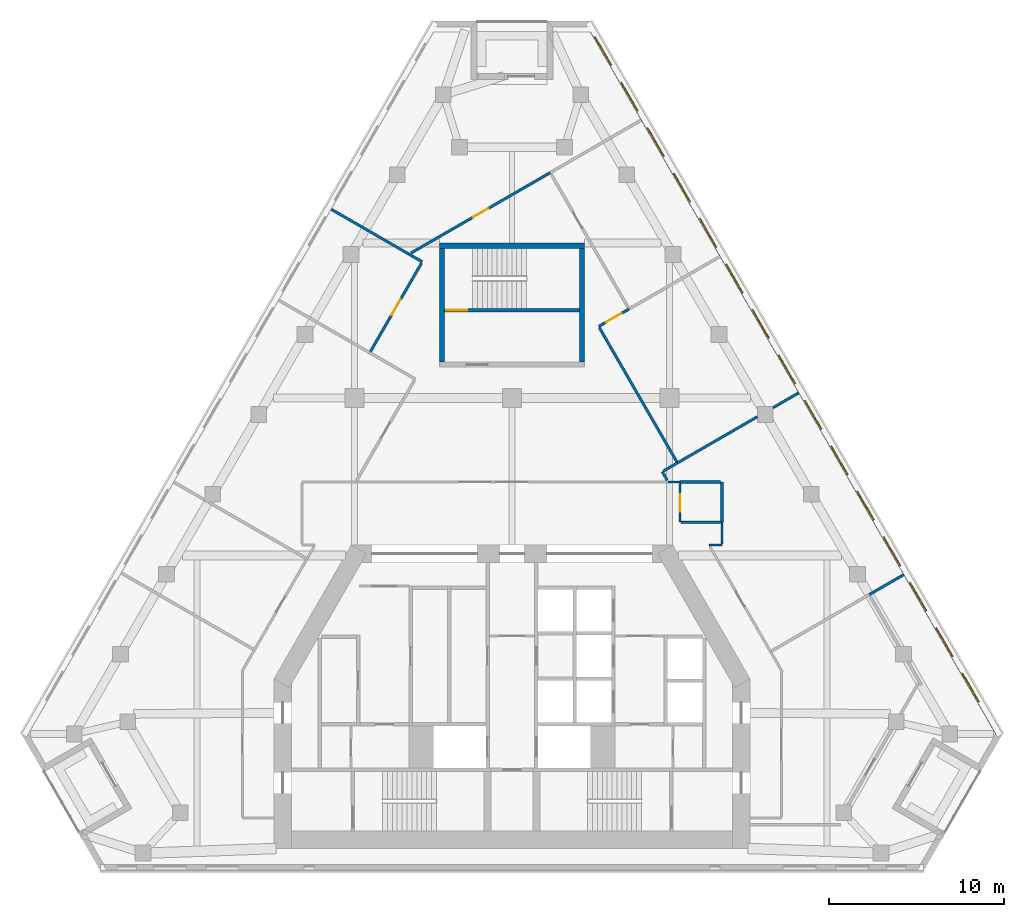
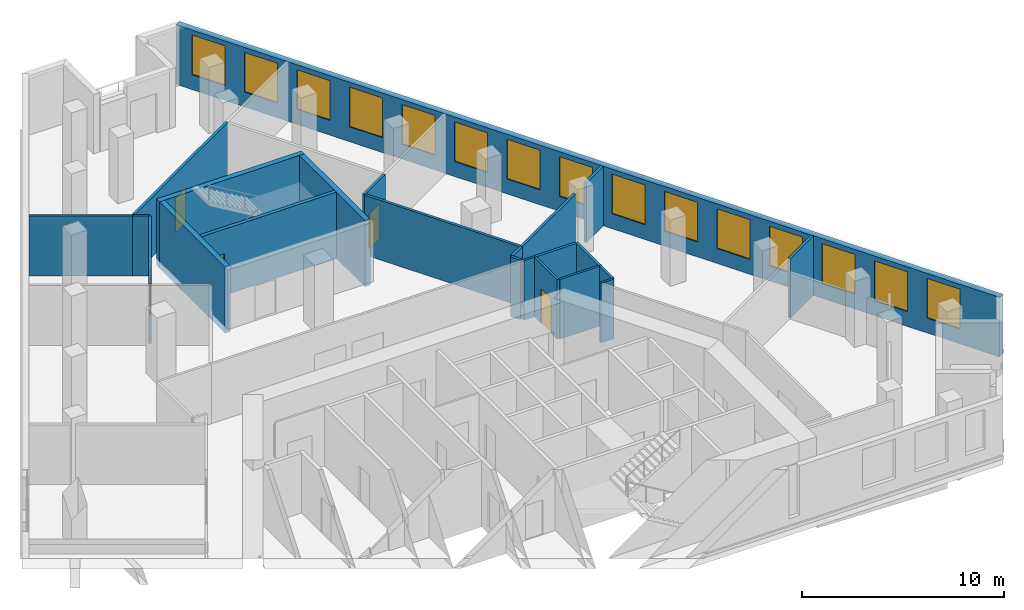
# One storey, part 7 of 9: 23 walls, 15 windows, 5 doors, 20 openings.
"""IFC4 building model written with IfcOpenShell, lengths in metres."""

from ifc_helpers import new_model, si_unit, direction, frame, frame_2d, origin, place, context, subcontext, project, spatial, rectangle, extrude, material, layer, layer_set, type_object, element, fill, save


model = new_model("IFC4")

# Units and contexts
model_context = context("Model", 3, precision=1e-05, world=origin(), true_north=direction((0.0, 1.0)))
body_context = subcontext(model_context, "Body", "Model", "MODEL_VIEW")
ifc_project = project(units=[si_unit("LENGTHUNIT", "METRE"), si_unit("AREAUNIT", "SQUARE_METRE"), si_unit("VOLUMEUNIT", "CUBIC_METRE"), si_unit("PLANEANGLEUNIT", "RADIAN"), si_unit("MASSUNIT", "GRAM", prefix="KILO")], contexts=[model_context])

# Site, building, storey
site_placement = place(None, origin())
site = spatial("IfcSite", under=ifc_project, at=site_placement, CompositionType="ELEMENT")
building_placement = place(site_placement, origin())
building = spatial("IfcBuilding", under=site, at=building_placement, Name="Fogline Exchange Tower", CompositionType="ELEMENT")
storey_placement = place(building_placement, frame((0.0, 0.0, 190.10009765625)))
storey = spatial("IfcBuildingStorey", under=building, at=storey_placement, Name="L42", CompositionType="ELEMENT", Elevation=190.10009765625)

# Wall, opening, door
ifc_material_1 = material(Name="Concrete C40", Category="concrete")
ifc_layer_1 = layer(ifc_material_1, 0.199951171875)
ifc_layer_set_1 = layer_set([ifc_layer_1], Name="CW20R")
wall_type_1 = type_object("IfcWallType", Name="CW20R", PredefinedType="SOLIDWALL", material=ifc_layer_set_1)
wall_1_placement = place(storey_placement, frame((-3.85009765625, 32.007080078125, -0.400146484375), z_axis=(0.0, 0.0, 1.0), x_axis=(1.0, 0.0, 0.0)))
wall_1 = element("IfcWall", 1, at=wall_1_placement, inside=storey, type_object=wall_type_1, Name="Stair enclosure wall ST3", PredefinedType="SOLIDWALL", context=body_context, shape_type="SweptSolid", body=[
    extrude(rectangle(XDim=7.7001953125, YDim=0.199951171875, at=frame_2d((3.85009765625, 0.0))), origin(), (0.0, 0.0, 1.0), 4.0),
])
opening_1_placement = place(wall_1_placement, frame((0.10009765625, 0.0, 0.39990234375)))
opening_1 = element("IfcOpeningElement", 2, at=opening_1_placement, cuts=wall_1, Name="Opening T13-C023", PredefinedType="OPENING", context=body_context, shape_type="SweptSolid", body=[
    extrude(rectangle(XDim=1.199951171875, YDim=2.10009765625, at=frame_2d((0.60009765625, 1.050048828125))), frame((0.0, 0.10986328125, 0.0), z_axis=(0.0, -1.0, 0.0), x_axis=(1.0, 0.0, 0.0)), (0.0, 0.0, 1.0), 0.219970703125),
])
ifc_material_2 = material(Name="Steel and timber fire door", Category="steel")
door_type_1 = type_object("IfcDoorType", Name="D-ST1", OperationType="SINGLE_SWING_LEFT", PredefinedType="DOOR", material=ifc_material_2)
door_1_placement = place(opening_1_placement, origin())
door_1 = element("IfcDoor", 3, at=door_1_placement, inside=storey, type_object=door_type_1, Name="Stair door ST3", OperationType="SINGLE_SWING_LEFT", OverallHeight=2.10009765625, OverallWidth=1.199951171875, PredefinedType="DOOR", context=body_context, shape_type="SweptSolid", body=[
    extrude(rectangle(XDim=1.199951171875, YDim=2.10009765625, at=frame_2d((0.60009765625, 1.050048828125))), frame((0.0, 0.02490234375, 0.0), z_axis=(0.0, -1.0, 0.0), x_axis=(1.0, 0.0, 0.0)), (0.0, 0.0, 1.0), 0.050048828125),
])
fill(opening_1, door_1)

# Walls
ifc_layer_2 = layer(ifc_material_1, 0.300048828125)
ifc_layer_set_2 = layer_set([ifc_layer_2], Name="CW30")
wall_type_2 = type_object("IfcWallType", Name="CW30", PredefinedType="SOLIDWALL", material=ifc_layer_set_2)
wall_2_placement = place(storey_placement, frame((-4.14990234375, 35.70703125, -0.400146484375), z_axis=(0.0, 0.0, 1.0), x_axis=(1.0, 0.0, 0.0)))
element("IfcWall", 4, at=wall_2_placement, inside=storey, type_object=wall_type_2, Name="Stair enclosure wall ST3", PredefinedType="SOLIDWALL", context=body_context, shape_type="SweptSolid", body=[
    extrude(rectangle(XDim=8.2998046875, YDim=0.300048828125, at=frame_2d((4.14990234375, 0.0))), origin(), (0.0, 0.0, 1.0), 4.0),
])
for number, where, z_axis, x_axis, name in (
    (5, (-4.0, 29.056884765625, -0.400146484375), (0.0, 0.0, 1.0), (0.0, 1.0, 0.0), "Stair enclosure wall ST3"),
    (6, (4.0, 29.056884765625, -0.400146484375), (0.0, 0.0, 1.0), (0.0, 1.0, 0.0), "Stair enclosure wall ST3"),
):
    element("IfcWall", number, at=place(storey_placement, frame(where, z_axis=z_axis, x_axis=x_axis)), inside=storey, type_object=wall_type_2, Name=name, PredefinedType="SOLIDWALL", context=body_context, shape_type="SweptSolid", body=[
        extrude(rectangle(XDim=6.5, YDim=0.300048828125, at=frame_2d((3.25, 0.0))), origin(), (0.0, 0.0, 1.0), 4.0),
    ])

# Wall, openings, windows
ifc_material_3 = material(Name="Brick masonry", Category="masonry")
ifc_layer_3 = layer(ifc_material_3, 0.340087890625)
ifc_layer_set_3 = layer_set([ifc_layer_3], Name="FW1")
wall_type_3 = type_object("IfcWallType", Name="FW1", PredefinedType="SOLIDWALL", material=ifc_layer_set_3)
wall_3_placement = place(storey_placement, frame((27.884033203125, 7.709228515625, 0.0), z_axis=(0.0, 0.0, 1.0), x_axis=(-0.499999966388, 0.86602542319, 0.0)))
wall_3 = element("IfcWall", 7, at=wall_3_placement, inside=storey, type_object=wall_type_3, Name="Brick wall L42 E", PredefinedType="SOLIDWALL", context=body_context, shape_type="SweptSolid", body=[
    extrude(rectangle(XDim=47.0625, YDim=0.340087890625, at=frame_2d((23.53125, 0.0))), origin(), (0.0, 0.0, 1.0), 3.599853515625),
])
opening_2_placement = place(wall_3_placement, frame((2.265625, 0.0, 0.89990234375)))
opening_2 = element("IfcOpeningElement", 8, at=opening_2_placement, cuts=wall_3, Name="Opening W1", PredefinedType="OPENING", context=body_context, shape_type="SweptSolid", body=[
    extrude(rectangle(XDim=1.885009765625, YDim=2.39990234375, at=frame_2d((0.9423828125, 1.199951171875))), frame((0.0, 0.18017578125, 0.0), z_axis=(0.0, -1.0, 0.0), x_axis=(1.0, 0.0, 0.0)), (0.0, 0.0, 1.0), 0.360107421875),
])
opening_3_placement = place(wall_3_placement, frame((5.265625, 0.0, 0.89990234375)))
opening_3 = element("IfcOpeningElement", 9, at=opening_3_placement, cuts=wall_3, Name="Opening W1", PredefinedType="OPENING", context=body_context, shape_type="SweptSolid", body=[
    extrude(rectangle(XDim=1.885009765625, YDim=2.39990234375, at=frame_2d((0.9423828125, 1.199951171875))), frame((0.0, 0.18017578125, 0.0), z_axis=(0.0, -1.0, 0.0), x_axis=(1.0, 0.0, 0.0)), (0.0, 0.0, 1.0), 0.360107421875),
])
opening_4_placement = place(wall_3_placement, frame((8.265625, 0.0, 0.89990234375)))
opening_4 = element("IfcOpeningElement", 10, at=opening_4_placement, cuts=wall_3, Name="Opening W1", PredefinedType="OPENING", context=body_context, shape_type="SweptSolid", body=[
    extrude(rectangle(XDim=1.885009765625, YDim=2.39990234375, at=frame_2d((0.9423828125, 1.199951171875))), frame((0.0, 0.18017578125, 0.0), z_axis=(0.0, -1.0, 0.0), x_axis=(1.0, 0.0, 0.0)), (0.0, 0.0, 1.0), 0.360107421875),
])
opening_5_placement = place(wall_3_placement, frame((11.265625, 0.0, 0.89990234375)))
opening_5 = element("IfcOpeningElement", 11, at=opening_5_placement, cuts=wall_3, Name="Opening W1", PredefinedType="OPENING", context=body_context, shape_type="SweptSolid", body=[
    extrude(rectangle(XDim=1.885009765625, YDim=2.39990234375, at=frame_2d((0.9423828125, 1.199951171875))), frame((0.0, 0.18017578125, 0.0), z_axis=(0.0, -1.0, 0.0), x_axis=(1.0, 0.0, 0.0)), (0.0, 0.0, 1.0), 0.360107421875),
])
opening_6_placement = place(wall_3_placement, frame((14.265625, 0.0, 0.89990234375)))
opening_6 = element("IfcOpeningElement", 12, at=opening_6_placement, cuts=wall_3, Name="Opening W1", PredefinedType="OPENING", context=body_context, shape_type="SweptSolid", body=[
    extrude(rectangle(XDim=1.885009765625, YDim=2.39990234375, at=frame_2d((0.9423828125, 1.199951171875))), frame((0.0, 0.18017578125, 0.0), z_axis=(0.0, -1.0, 0.0), x_axis=(1.0, 0.0, 0.0)), (0.0, 0.0, 1.0), 0.360107421875),
])
opening_7_placement = place(wall_3_placement, frame((17.265625, 0.0, 0.89990234375)))
opening_7 = element("IfcOpeningElement", 13, at=opening_7_placement, cuts=wall_3, Name="Opening W1", PredefinedType="OPENING", context=body_context, shape_type="SweptSolid", body=[
    extrude(rectangle(XDim=1.885009765625, YDim=2.39990234375, at=frame_2d((0.9423828125, 1.199951171875))), frame((0.0, 0.18017578125, 0.0), z_axis=(0.0, -1.0, 0.0), x_axis=(1.0, 0.0, 0.0)), (0.0, 0.0, 1.0), 0.360107421875),
])
opening_8_placement = place(wall_3_placement, frame((20.265625, 0.0, 0.89990234375)))
opening_8 = element("IfcOpeningElement", 14, at=opening_8_placement, cuts=wall_3, Name="Opening W1", PredefinedType="OPENING", context=body_context, shape_type="SweptSolid", body=[
    extrude(rectangle(XDim=1.885009765625, YDim=2.39990234375, at=frame_2d((0.9423828125, 1.199951171875))), frame((0.0, 0.18017578125, 0.0), z_axis=(0.0, -1.0, 0.0), x_axis=(1.0, 0.0, 0.0)), (0.0, 0.0, 1.0), 0.360107421875),
])
opening_9_placement = place(wall_3_placement, frame((23.265625, 0.0, 0.89990234375)))
opening_9 = element("IfcOpeningElement", 15, at=opening_9_placement, cuts=wall_3, Name="Opening W1", PredefinedType="OPENING", context=body_context, shape_type="SweptSolid", body=[
    extrude(rectangle(XDim=1.885009765625, YDim=2.39990234375, at=frame_2d((0.9423828125, 1.199951171875))), frame((0.0, 0.18017578125, 0.0), z_axis=(0.0, -1.0, 0.0), x_axis=(1.0, 0.0, 0.0)), (0.0, 0.0, 1.0), 0.360107421875),
])
opening_10_placement = place(wall_3_placement, frame((26.265625, 0.0, 0.89990234375)))
opening_10 = element("IfcOpeningElement", 16, at=opening_10_placement, cuts=wall_3, Name="Opening W1", PredefinedType="OPENING", context=body_context, shape_type="SweptSolid", body=[
    extrude(rectangle(XDim=1.885009765625, YDim=2.39990234375, at=frame_2d((0.9423828125, 1.199951171875))), frame((0.0, 0.18017578125, 0.0), z_axis=(0.0, -1.0, 0.0), x_axis=(1.0, 0.0, 0.0)), (0.0, 0.0, 1.0), 0.360107421875),
])
opening_11_placement = place(wall_3_placement, frame((29.265625, 0.0, 0.89990234375)))
opening_11 = element("IfcOpeningElement", 17, at=opening_11_placement, cuts=wall_3, Name="Opening W1", PredefinedType="OPENING", context=body_context, shape_type="SweptSolid", body=[
    extrude(rectangle(XDim=1.885009765625, YDim=2.39990234375, at=frame_2d((0.9423828125, 1.199951171875))), frame((0.0, 0.18017578125, 0.0), z_axis=(0.0, -1.0, 0.0), x_axis=(1.0, 0.0, 0.0)), (0.0, 0.0, 1.0), 0.360107421875),
])
opening_12_placement = place(wall_3_placement, frame((32.265625, 0.0, 0.89990234375)))
opening_12 = element("IfcOpeningElement", 18, at=opening_12_placement, cuts=wall_3, Name="Opening W1", PredefinedType="OPENING", context=body_context, shape_type="SweptSolid", body=[
    extrude(rectangle(XDim=1.885009765625, YDim=2.39990234375, at=frame_2d((0.9423828125, 1.199951171875))), frame((0.0, 0.18017578125, 0.0), z_axis=(0.0, -1.0, 0.0), x_axis=(1.0, 0.0, 0.0)), (0.0, 0.0, 1.0), 0.360107421875),
])
opening_13_placement = place(wall_3_placement, frame((35.265625, 0.0, 0.89990234375)))
opening_13 = element("IfcOpeningElement", 19, at=opening_13_placement, cuts=wall_3, Name="Opening W1", PredefinedType="OPENING", context=body_context, shape_type="SweptSolid", body=[
    extrude(rectangle(XDim=1.885009765625, YDim=2.39990234375, at=frame_2d((0.9423828125, 1.199951171875))), frame((0.0, 0.18017578125, 0.0), z_axis=(0.0, -1.0, 0.0), x_axis=(1.0, 0.0, 0.0)), (0.0, 0.0, 1.0), 0.360107421875),
])
opening_14_placement = place(wall_3_placement, frame((38.265625, 0.0, 0.89990234375)))
opening_14 = element("IfcOpeningElement", 20, at=opening_14_placement, cuts=wall_3, Name="Opening W1", PredefinedType="OPENING", context=body_context, shape_type="SweptSolid", body=[
    extrude(rectangle(XDim=1.885009765625, YDim=2.39990234375, at=frame_2d((0.9423828125, 1.199951171875))), frame((0.0, 0.18017578125, 0.0), z_axis=(0.0, -1.0, 0.0), x_axis=(1.0, 0.0, 0.0)), (0.0, 0.0, 1.0), 0.360107421875),
])
opening_15_placement = place(wall_3_placement, frame((41.265625, 0.0, 0.89990234375)))
opening_15 = element("IfcOpeningElement", 21, at=opening_15_placement, cuts=wall_3, Name="Opening W1", PredefinedType="OPENING", context=body_context, shape_type="SweptSolid", body=[
    extrude(rectangle(XDim=1.885009765625, YDim=2.39990234375, at=frame_2d((0.9423828125, 1.199951171875))), frame((0.0, 0.18017578125, 0.0), z_axis=(0.0, -1.0, 0.0), x_axis=(1.0, 0.0, 0.0)), (0.0, 0.0, 1.0), 0.360107421875),
])
opening_16_placement = place(wall_3_placement, frame((44.265625, 0.0, 0.89990234375)))
opening_16 = element("IfcOpeningElement", 22, at=opening_16_placement, cuts=wall_3, Name="Opening W1", PredefinedType="OPENING", context=body_context, shape_type="SweptSolid", body=[
    extrude(rectangle(XDim=1.885009765625, YDim=2.39990234375, at=frame_2d((0.9423828125, 1.199951171875))), frame((0.0, 0.18017578125, 0.0), z_axis=(0.0, -1.0, 0.0), x_axis=(1.0, 0.0, 0.0)), (0.0, 0.0, 1.0), 0.360107421875),
])
ifc_material_4 = material(Name="Aluminium and glass", Category="aluminium")
window_type = type_object("IfcWindowType", Name="W1", PartitioningType="SINGLE_PANEL", PredefinedType="WINDOW", material=ifc_material_4)
window_1_placement = place(opening_2_placement, origin())
window_1 = element("IfcWindow", 23, at=window_1_placement, inside=storey, type_object=window_type, Name="W1 W1", OverallHeight=2.39990234375, OverallWidth=1.885009765625, PartitioningType="SINGLE_PANEL", PredefinedType="WINDOW", context=body_context, shape_type="SweptSolid", body=[
    extrude(rectangle(XDim=1.885009765625, YDim=2.39990234375, at=frame_2d((0.9423828125, 1.199951171875))), frame((0.0, 0.110107421875, 0.0), z_axis=(0.0, -1.0, 0.0), x_axis=(1.0, 0.0, 0.0)), (0.0, 0.0, 1.0), 0.06005859375),
])
fill(opening_2, window_1)
window_2_placement = place(opening_3_placement, origin())
window_2 = element("IfcWindow", 24, at=window_2_placement, inside=storey, type_object=window_type, Name="W1 W1", OverallHeight=2.39990234375, OverallWidth=1.885009765625, PartitioningType="SINGLE_PANEL", PredefinedType="WINDOW", context=body_context, shape_type="SweptSolid", body=[
    extrude(rectangle(XDim=1.885009765625, YDim=2.39990234375, at=frame_2d((0.9423828125, 1.199951171875))), frame((0.0, 0.110107421875, 0.0), z_axis=(0.0, -1.0, 0.0), x_axis=(1.0, 0.0, 0.0)), (0.0, 0.0, 1.0), 0.06005859375),
])
fill(opening_3, window_2)
window_3_placement = place(opening_4_placement, origin())
window_3 = element("IfcWindow", 25, at=window_3_placement, inside=storey, type_object=window_type, Name="W1 W1", OverallHeight=2.39990234375, OverallWidth=1.885009765625, PartitioningType="SINGLE_PANEL", PredefinedType="WINDOW", context=body_context, shape_type="SweptSolid", body=[
    extrude(rectangle(XDim=1.885009765625, YDim=2.39990234375, at=frame_2d((0.9423828125, 1.199951171875))), frame((0.0, 0.110107421875, 0.0), z_axis=(0.0, -1.0, 0.0), x_axis=(1.0, 0.0, 0.0)), (0.0, 0.0, 1.0), 0.06005859375),
])
fill(opening_4, window_3)
window_4_placement = place(opening_5_placement, origin())
window_4 = element("IfcWindow", 26, at=window_4_placement, inside=storey, type_object=window_type, Name="W1 W1", OverallHeight=2.39990234375, OverallWidth=1.885009765625, PartitioningType="SINGLE_PANEL", PredefinedType="WINDOW", context=body_context, shape_type="SweptSolid", body=[
    extrude(rectangle(XDim=1.885009765625, YDim=2.39990234375, at=frame_2d((0.9423828125, 1.199951171875))), frame((0.0, 0.110107421875, 0.0), z_axis=(0.0, -1.0, 0.0), x_axis=(1.0, 0.0, 0.0)), (0.0, 0.0, 1.0), 0.06005859375),
])
fill(opening_5, window_4)
window_5_placement = place(opening_6_placement, origin())
window_5 = element("IfcWindow", 27, at=window_5_placement, inside=storey, type_object=window_type, Name="W1 W1", OverallHeight=2.39990234375, OverallWidth=1.885009765625, PartitioningType="SINGLE_PANEL", PredefinedType="WINDOW", context=body_context, shape_type="SweptSolid", body=[
    extrude(rectangle(XDim=1.885009765625, YDim=2.39990234375, at=frame_2d((0.9423828125, 1.199951171875))), frame((0.0, 0.110107421875, 0.0), z_axis=(0.0, -1.0, 0.0), x_axis=(1.0, 0.0, 0.0)), (0.0, 0.0, 1.0), 0.06005859375),
])
fill(opening_6, window_5)
window_6_placement = place(opening_7_placement, origin())
window_6 = element("IfcWindow", 28, at=window_6_placement, inside=storey, type_object=window_type, Name="W1 W1", OverallHeight=2.39990234375, OverallWidth=1.885009765625, PartitioningType="SINGLE_PANEL", PredefinedType="WINDOW", context=body_context, shape_type="SweptSolid", body=[
    extrude(rectangle(XDim=1.885009765625, YDim=2.39990234375, at=frame_2d((0.9423828125, 1.199951171875))), frame((0.0, 0.110107421875, 0.0), z_axis=(0.0, -1.0, 0.0), x_axis=(1.0, 0.0, 0.0)), (0.0, 0.0, 1.0), 0.06005859375),
])
fill(opening_7, window_6)
window_7_placement = place(opening_8_placement, origin())
window_7 = element("IfcWindow", 29, at=window_7_placement, inside=storey, type_object=window_type, Name="W1 W1", OverallHeight=2.39990234375, OverallWidth=1.885009765625, PartitioningType="SINGLE_PANEL", PredefinedType="WINDOW", context=body_context, shape_type="SweptSolid", body=[
    extrude(rectangle(XDim=1.885009765625, YDim=2.39990234375, at=frame_2d((0.9423828125, 1.199951171875))), frame((0.0, 0.110107421875, 0.0), z_axis=(0.0, -1.0, 0.0), x_axis=(1.0, 0.0, 0.0)), (0.0, 0.0, 1.0), 0.06005859375),
])
fill(opening_8, window_7)
window_8_placement = place(opening_9_placement, origin())
window_8 = element("IfcWindow", 30, at=window_8_placement, inside=storey, type_object=window_type, Name="W1 W1", OverallHeight=2.39990234375, OverallWidth=1.885009765625, PartitioningType="SINGLE_PANEL", PredefinedType="WINDOW", context=body_context, shape_type="SweptSolid", body=[
    extrude(rectangle(XDim=1.885009765625, YDim=2.39990234375, at=frame_2d((0.9423828125, 1.199951171875))), frame((0.0, 0.110107421875, 0.0), z_axis=(0.0, -1.0, 0.0), x_axis=(1.0, 0.0, 0.0)), (0.0, 0.0, 1.0), 0.06005859375),
])
fill(opening_9, window_8)
window_9_placement = place(opening_10_placement, origin())
window_9 = element("IfcWindow", 31, at=window_9_placement, inside=storey, type_object=window_type, Name="W1 W1", OverallHeight=2.39990234375, OverallWidth=1.885009765625, PartitioningType="SINGLE_PANEL", PredefinedType="WINDOW", context=body_context, shape_type="SweptSolid", body=[
    extrude(rectangle(XDim=1.885009765625, YDim=2.39990234375, at=frame_2d((0.9423828125, 1.199951171875))), frame((0.0, 0.110107421875, 0.0), z_axis=(0.0, -1.0, 0.0), x_axis=(1.0, 0.0, 0.0)), (0.0, 0.0, 1.0), 0.06005859375),
])
fill(opening_10, window_9)
window_10_placement = place(opening_11_placement, origin())
window_10 = element("IfcWindow", 32, at=window_10_placement, inside=storey, type_object=window_type, Name="W1 W1", OverallHeight=2.39990234375, OverallWidth=1.885009765625, PartitioningType="SINGLE_PANEL", PredefinedType="WINDOW", context=body_context, shape_type="SweptSolid", body=[
    extrude(rectangle(XDim=1.885009765625, YDim=2.39990234375, at=frame_2d((0.9423828125, 1.199951171875))), frame((0.0, 0.110107421875, 0.0), z_axis=(0.0, -1.0, 0.0), x_axis=(1.0, 0.0, 0.0)), (0.0, 0.0, 1.0), 0.06005859375),
])
fill(opening_11, window_10)
window_11_placement = place(opening_12_placement, origin())
window_11 = element("IfcWindow", 33, at=window_11_placement, inside=storey, type_object=window_type, Name="W1 W1", OverallHeight=2.39990234375, OverallWidth=1.885009765625, PartitioningType="SINGLE_PANEL", PredefinedType="WINDOW", context=body_context, shape_type="SweptSolid", body=[
    extrude(rectangle(XDim=1.885009765625, YDim=2.39990234375, at=frame_2d((0.9423828125, 1.199951171875))), frame((0.0, 0.110107421875, 0.0), z_axis=(0.0, -1.0, 0.0), x_axis=(1.0, 0.0, 0.0)), (0.0, 0.0, 1.0), 0.06005859375),
])
fill(opening_12, window_11)
window_12_placement = place(opening_13_placement, origin())
window_12 = element("IfcWindow", 34, at=window_12_placement, inside=storey, type_object=window_type, Name="W1 W1", OverallHeight=2.39990234375, OverallWidth=1.885009765625, PartitioningType="SINGLE_PANEL", PredefinedType="WINDOW", context=body_context, shape_type="SweptSolid", body=[
    extrude(rectangle(XDim=1.885009765625, YDim=2.39990234375, at=frame_2d((0.9423828125, 1.199951171875))), frame((0.0, 0.110107421875, 0.0), z_axis=(0.0, -1.0, 0.0), x_axis=(1.0, 0.0, 0.0)), (0.0, 0.0, 1.0), 0.06005859375),
])
fill(opening_13, window_12)
window_13_placement = place(opening_14_placement, origin())
window_13 = element("IfcWindow", 35, at=window_13_placement, inside=storey, type_object=window_type, Name="W1 W1", OverallHeight=2.39990234375, OverallWidth=1.885009765625, PartitioningType="SINGLE_PANEL", PredefinedType="WINDOW", context=body_context, shape_type="SweptSolid", body=[
    extrude(rectangle(XDim=1.885009765625, YDim=2.39990234375, at=frame_2d((0.9423828125, 1.199951171875))), frame((0.0, 0.110107421875, 0.0), z_axis=(0.0, -1.0, 0.0), x_axis=(1.0, 0.0, 0.0)), (0.0, 0.0, 1.0), 0.06005859375),
])
fill(opening_14, window_13)
window_14_placement = place(opening_15_placement, origin())
window_14 = element("IfcWindow", 36, at=window_14_placement, inside=storey, type_object=window_type, Name="W1 W1", OverallHeight=2.39990234375, OverallWidth=1.885009765625, PartitioningType="SINGLE_PANEL", PredefinedType="WINDOW", context=body_context, shape_type="SweptSolid", body=[
    extrude(rectangle(XDim=1.885009765625, YDim=2.39990234375, at=frame_2d((0.9423828125, 1.199951171875))), frame((0.0, 0.110107421875, 0.0), z_axis=(0.0, -1.0, 0.0), x_axis=(1.0, 0.0, 0.0)), (0.0, 0.0, 1.0), 0.06005859375),
])
fill(opening_15, window_14)
window_15_placement = place(opening_16_placement, origin())
window_15 = element("IfcWindow", 37, at=window_15_placement, inside=storey, type_object=window_type, Name="W1 W1", OverallHeight=2.39990234375, OverallWidth=1.885009765625, PartitioningType="SINGLE_PANEL", PredefinedType="WINDOW", context=body_context, shape_type="SweptSolid", body=[
    extrude(rectangle(XDim=1.885009765625, YDim=2.39990234375, at=frame_2d((0.9423828125, 1.199951171875))), frame((0.0, 0.110107421875, 0.0), z_axis=(0.0, -1.0, 0.0), x_axis=(1.0, 0.0, 0.0)), (0.0, 0.0, 1.0), 0.06005859375),
])
fill(opening_16, window_15)

# Walls
ifc_material_5 = material(Name="Plasterboard corridor partition with mineral wool, 2 layers each side")
ifc_layer_4 = layer(ifc_material_5, 0.125)
ifc_layer_set_4 = layer_set([ifc_layer_4], Name="PW2")
wall_type_4 = type_object("IfcWallType", Name="PW2", PredefinedType="PARTITIONING", material=ifc_layer_set_4)
wall_4_placement = place(storey_placement, frame((8.92919921875, 22.199951171875, 0.0), z_axis=(0.0, 0.0, 1.0), x_axis=(1.0, 0.0, 0.0)))
element("IfcWall", 38, at=wall_4_placement, inside=storey, type_object=wall_type_4, Name="wall-L42-W005", PredefinedType="PARTITIONING", context=body_context, shape_type="SweptSolid", body=[
    extrude(rectangle(XDim=0.6708984375, YDim=0.125, at=frame_2d((0.33544921875, 0.0))), origin(), (0.0, 0.0, 1.0), 3.599853515625),
])
wall_5_placement = place(storey_placement, frame((12.0, 19.89990234375, 0.0), z_axis=(0.0, 0.0, 1.0), x_axis=(0.0, -1.0, 0.0)))
element("IfcWall", 39, at=wall_5_placement, inside=storey, type_object=wall_type_4, Name="wall-L42-W006", PredefinedType="PARTITIONING", context=body_context, shape_type="SweptSolid", body=[
    extrude(rectangle(XDim=1.2373046875, YDim=0.125, at=frame_2d((0.61865234375, 0.0))), origin(), (0.0, 0.0, 1.0), 3.599853515625),
])
wall_6_placement = place(storey_placement, frame((12.0, 18.60009765625, 0.0), z_axis=(0.0, 0.0, 1.0), x_axis=(-1.0, 0.0, 0.0)))
element("IfcWall", 40, at=wall_6_placement, inside=storey, type_object=wall_type_4, Name="wall-L42-W007", PredefinedType="PARTITIONING", context=body_context, shape_type="SweptSolid", body=[
    extrude(rectangle(XDim=0.740966796875, YDim=0.125, at=frame_2d((0.37060546875, 0.0))), origin(), (0.0, 0.0, 1.0), 3.599853515625),
])

# Wall, opening, door
wall_7_placement = place(storey_placement, frame((9.60009765625, 22.125, 0.0), z_axis=(0.0, 0.0, 1.0), x_axis=(0.0, -1.0, 0.0)))
wall_7 = element("IfcWall", 41, at=wall_7_placement, inside=storey, type_object=wall_type_4, Name="wall-L42-W008", PredefinedType="PARTITIONING", context=body_context, shape_type="SweptSolid", body=[
    extrude(rectangle(XDim=2.22509765625, YDim=0.125, at=frame_2d((1.112548828125, 0.0))), origin(), (0.0, 0.0, 1.0), 3.599853515625),
])
opening_17_placement = place(wall_7_placement, frame((0.612548828125, 0.0, 0.0)))
opening_17 = element("IfcOpeningElement", 42, at=opening_17_placement, cuts=wall_7, Name="Opening T13-D003", PredefinedType="OPENING", context=body_context, shape_type="SweptSolid", body=[
    extrude(rectangle(XDim=1.0, YDim=2.10009765625, at=frame_2d((0.5, 1.050048828125))), frame((0.0, 0.072509765625, 0.0), z_axis=(0.0, -1.0, 0.0), x_axis=(1.0, 0.0, 0.0)), (0.0, 0.0, 1.0), 0.14501953125),
])
ifc_material_6 = material(Name="Fire-rated timber door leaf with steel frame", Category="steel")
door_type_2 = type_object("IfcDoorType", Name="D3", OperationType="SINGLE_SWING_LEFT", PredefinedType="DOOR", material=ifc_material_6)
door_2_placement = place(opening_17_placement, origin())
door_2 = element("IfcDoor", 43, at=door_2_placement, inside=storey, type_object=door_type_2, Name="door-L42-D003", OperationType="SINGLE_SWING_LEFT", OverallHeight=2.10009765625, OverallWidth=1.0, PredefinedType="DOOR", context=body_context, shape_type="SweptSolid", body=[
    extrude(rectangle(XDim=1.0, YDim=2.10009765625, at=frame_2d((0.5, 1.050048828125))), frame((0.0, 0.02490234375, 0.0), z_axis=(0.0, -1.0, 0.0), x_axis=(1.0, 0.0, 0.0)), (0.0, 0.0, 1.0), 0.050048828125),
])
fill(opening_17, door_2)

# Walls
wall_8_placement = place(storey_placement, frame((9.66259765625, 19.89990234375, 0.0), z_axis=(0.0, 0.0, 1.0), x_axis=(1.0, 0.0, 0.0)))
element("IfcWall", 44, at=wall_8_placement, inside=storey, type_object=wall_type_4, Name="wall-L42-W009", PredefinedType="PARTITIONING", context=body_context, shape_type="SweptSolid", body=[
    extrude(rectangle(XDim=2.262451171875, YDim=0.125, at=frame_2d((1.13134765625, 0.0))), origin(), (0.0, 0.0, 1.0), 3.599853515625),
])
ifc_material_7 = material(Name="Plasterboard demising partition with mineral wool and acoustic board")
ifc_layer_5 = layer(ifc_material_7, 0.14990234375)
ifc_layer_set_5 = layer_set([ifc_layer_5], Name="PW3")
wall_type_5 = type_object("IfcWallType", Name="PW3", PredefinedType="PARTITIONING", material=ifc_layer_set_5)
wall_9_placement = place(storey_placement, frame((12.0, 19.89990234375, 0.0), z_axis=(0.0, 0.0, 1.0), x_axis=(0.0, 1.0, 0.0)))
element("IfcWall", 45, at=wall_9_placement, inside=storey, type_object=wall_type_5, Name="wall-L42-W019", PredefinedType="PARTITIONING", context=body_context, shape_type="SweptSolid", body=[
    extrude(rectangle(XDim=2.300048828125, YDim=0.14990234375, at=frame_2d((1.14990234375, 0.0))), origin(), (0.0, 0.0, 1.0), 3.599853515625),
])
wall_10_placement = place(storey_placement, frame((11.925048828125, 22.199951171875, 0.0), z_axis=(0.0, 0.0, 1.0), x_axis=(-1.0, 0.0, 0.0)))
element("IfcWall", 46, at=wall_10_placement, inside=storey, type_object=wall_type_5, Name="wall-L42-W020", PredefinedType="PARTITIONING", context=body_context, shape_type="SweptSolid", body=[
    extrude(rectangle(XDim=2.324951171875, YDim=0.14990234375, at=frame_2d((1.16259765625, 0.0))), origin(), (0.0, 0.0, 1.0), 3.599853515625),
])
wall_11_placement = place(storey_placement, frame((9.45458984375, 23.2900390625, 0.0), z_axis=(0.0, 0.0, 1.0), x_axis=(0.866016643694, 0.500015172615, 0.0)))
element("IfcWall", 47, at=wall_11_placement, inside=storey, type_object=wall_type_5, Name="wall-L42-W021", PredefinedType="PARTITIONING", context=body_context, shape_type="SweptSolid", body=[
    extrude(rectangle(XDim=5.270263671875, YDim=0.14990234375, at=frame_2d((2.63525390625, 0.0))), origin(), (0.0, 0.0, 1.0), 3.599853515625),
])
wall_12_placement = place(storey_placement, frame((14.918701171875, 26.44482421875, 0.0), z_axis=(0.0, 0.0, 1.0), x_axis=(0.866048512801, 0.499959971872, 0.0)))
element("IfcWall", 48, at=wall_12_placement, inside=storey, type_object=wall_type_5, Name="wall-L42-W022", PredefinedType="PARTITIONING", context=body_context, shape_type="SweptSolid", body=[
    extrude(rectangle(XDim=1.690673828125, YDim=0.14990234375, at=frame_2d((0.84521484375, 0.0))), origin(), (0.0, 0.0, 1.0), 3.599853515625),
])
wall_13_placement = place(storey_placement, frame((8.871337890625, 22.30029296875, 0.0), z_axis=(0.0, 0.0, 1.0), x_axis=(-0.499946688677, 0.866056180903, 0.0)))
element("IfcWall", 49, at=wall_13_placement, inside=storey, type_object=wall_type_5, Name="wall-L42-W023", PredefinedType="PARTITIONING", context=body_context, shape_type="SweptSolid", body=[
    extrude(rectangle(XDim=0.5654296875, YDim=0.14990234375, at=frame_2d((0.28271484375, 0.0))), origin(), (0.0, 0.0, 1.0), 3.599853515625),
])
wall_14_placement = place(storey_placement, frame((8.653564453125, 22.82763671875, 0.0), z_axis=(0.0, 0.0, 1.0), x_axis=(0.866058118026, 0.49994333299, 0.0)))
element("IfcWall", 50, at=wall_14_placement, inside=storey, type_object=wall_type_5, Name="wall-L42-W024", PredefinedType="PARTITIONING", context=body_context, shape_type="SweptSolid", body=[
    extrude(rectangle(XDim=0.9248046875, YDim=0.14990234375, at=frame_2d((0.46240234375, 0.0))), origin(), (0.0, 0.0, 1.0), 3.599853515625),
])
wall_15_placement = place(storey_placement, frame((22.3828125, 16.897705078125, 0.0), z_axis=(0.0, 0.0, 1.0), x_axis=(-0.866026358377, -0.499998346593, 0.0)))
element("IfcWall", 51, at=wall_15_placement, inside=storey, type_object=wall_type_5, Name="wall-L42-W025", PredefinedType="PARTITIONING", context=body_context, shape_type="SweptSolid", body=[
    extrude(rectangle(XDim=2.2724609375, YDim=0.14990234375, at=frame_2d((1.13623046875, 0.0))), origin(), (0.0, 0.0, 1.0), 3.599853515625),
])

# Wall, opening, door
wall_16_placement = place(storey_placement, frame((4.95458984375, 31.084228515625, 0.0), z_axis=(0.0, 0.0, 1.0), x_axis=(0.866010750942, 0.50002537861, 0.0)))
wall_16 = element("IfcWall", 52, at=wall_16_placement, inside=storey, type_object=wall_type_5, Name="wall-L42-W028", PredefinedType="PARTITIONING", context=body_context, shape_type="SweptSolid", body=[
    extrude(rectangle(XDim=2.0, YDim=0.14990234375, at=frame_2d((1.0, 0.0))), origin(), (0.0, 0.0, 1.0), 3.599853515625),
])
opening_18_placement = place(wall_16_placement, frame((0.5, 0.0, 0.0)))
opening_18 = element("IfcOpeningElement", 53, at=opening_18_placement, cuts=wall_16, Name="Opening T13-D008", PredefinedType="OPENING", context=body_context, shape_type="SweptSolid", body=[
    extrude(rectangle(XDim=1.0, YDim=2.10009765625, at=frame_2d((0.5, 1.050048828125))), frame((0.0, 0.0849609375, 0.0), z_axis=(0.0, -1.0, 0.0), x_axis=(1.0, 0.0, 0.0)), (0.0, 0.0, 1.0), 0.169921875),
])
door_3_placement = place(opening_18_placement, frame((1.0, 0.0, 0.0), z_axis=(0.0, 0.0, 1.0), x_axis=(-1.0, 0.0, 0.0)))
door_3 = element("IfcDoor", 54, at=door_3_placement, inside=storey, type_object=door_type_2, Name="door-L42-D008", OperationType="SINGLE_SWING_RIGHT", OverallHeight=2.10009765625, OverallWidth=1.0, PredefinedType="DOOR", context=body_context, shape_type="SweptSolid", body=[
    extrude(rectangle(XDim=1.0, YDim=2.10009765625, at=frame_2d((0.5, 1.050048828125))), frame((0.0, 0.02490234375, 0.0), z_axis=(0.0, -1.0, 0.0), x_axis=(1.0, 0.0, 0.0)), (0.0, 0.0, 1.0), 0.050048828125),
])
fill(opening_18, door_3)

# Wall
wall_17_placement = place(storey_placement, frame((9.4169921875, 23.35498046875, 0.0), z_axis=(0.0, 0.0, 1.0), x_axis=(-0.499984337462, 0.866034446366, 0.0)))
element("IfcWall", 55, at=wall_17_placement, inside=storey, type_object=wall_type_5, Name="wall-L42-W029", PredefinedType="PARTITIONING", context=body_context, shape_type="SweptSolid", body=[
    extrude(rectangle(XDim=8.849853515625, YDim=0.14990234375, at=frame_2d((4.4248046875, 0.0))), origin(), (0.0, 0.0, 1.0), 3.599853515625),
])

# Wall, opening, door
wall_18_placement = place(storey_placement, frame((-5.772216796875, 35.28369140625, 0.0), z_axis=(0.0, 0.0, 1.0), x_axis=(0.866037383655, 0.499979249682, 0.0)))
wall_18 = element("IfcWall", 56, at=wall_18_placement, inside=storey, type_object=wall_type_5, Name="wall-L42-W032", PredefinedType="PARTITIONING", context=body_context, shape_type="SweptSolid", body=[
    extrude(rectangle(XDim=9.18994140625, YDim=0.14990234375, at=frame_2d((4.594970703125, 0.0))), origin(), (0.0, 0.0, 1.0), 3.599853515625),
])
opening_19_placement = place(wall_18_placement, frame((4.094970703125, 0.0, 0.0)))
opening_19 = element("IfcOpeningElement", 57, at=opening_19_placement, cuts=wall_18, Name="Opening T13-D010", PredefinedType="OPENING", context=body_context, shape_type="SweptSolid", body=[
    extrude(rectangle(XDim=1.0, YDim=2.10009765625, at=frame_2d((0.5, 1.050048828125))), frame((0.0, 0.0849609375, 0.0), z_axis=(0.0, -1.0, 0.0), x_axis=(1.0, 0.0, 0.0)), (0.0, 0.0, 1.0), 0.169921875),
])
door_4_placement = place(opening_19_placement, origin())
door_4 = element("IfcDoor", 58, at=door_4_placement, inside=storey, type_object=door_type_2, Name="door-L42-D010", OperationType="SINGLE_SWING_LEFT", OverallHeight=2.10009765625, OverallWidth=1.0, PredefinedType="DOOR", context=body_context, shape_type="SweptSolid", body=[
    extrude(rectangle(XDim=1.0, YDim=2.10009765625, at=frame_2d((0.5, 1.050048828125))), frame((0.0, 0.02490234375, 0.0), z_axis=(0.0, -1.0, 0.0), x_axis=(1.0, 0.0, 0.0)), (0.0, 0.0, 1.0), 0.050048828125),
])
fill(opening_19, door_4)

wall_19_placement = place(storey_placement, frame((-8.091552734375, 29.65087890625, 0.0), z_axis=(0.0, 0.0, 1.0), x_axis=(0.500012662943, 0.866018092707, 0.0)))
wall_19 = element("IfcWall", 59, at=wall_19_placement, inside=storey, type_object=wall_type_5, Name="wall-L42-W033", PredefinedType="PARTITIONING", context=body_context, shape_type="SweptSolid", body=[
    extrude(rectangle(XDim=5.849853515625, YDim=0.14990234375, at=frame_2d((2.9248046875, 0.0))), origin(), (0.0, 0.0, 1.0), 3.599853515625),
])
opening_20_placement = place(wall_19_placement, frame((2.425048828125, 0.0, 0.0)))
opening_20 = element("IfcOpeningElement", 60, at=opening_20_placement, cuts=wall_19, Name="Opening T13-D011", PredefinedType="OPENING", context=body_context, shape_type="SweptSolid", body=[
    extrude(rectangle(XDim=1.0, YDim=2.10009765625, at=frame_2d((0.5, 1.050048828125))), frame((0.0, 0.0849609375, 0.0), z_axis=(0.0, -1.0, 0.0), x_axis=(1.0, 0.0, 0.0)), (0.0, 0.0, 1.0), 0.169921875),
])
door_5_placement = place(opening_20_placement, origin())
door_5 = element("IfcDoor", 61, at=door_5_placement, inside=storey, type_object=door_type_2, Name="door-L42-D011", OperationType="SINGLE_SWING_LEFT", OverallHeight=2.10009765625, OverallWidth=1.0, PredefinedType="DOOR", context=body_context, shape_type="SweptSolid", body=[
    extrude(rectangle(XDim=1.0, YDim=2.10009765625, at=frame_2d((0.5, 1.050048828125))), frame((0.0, 0.02490234375, 0.0), z_axis=(0.0, -1.0, 0.0), x_axis=(1.0, 0.0, 0.0)), (0.0, 0.0, 1.0), 0.050048828125),
])
fill(opening_20, door_5)

# Walls
wall_20_placement = place(storey_placement, frame((-5.129150390625, 34.781982421875, 0.0), z_axis=(0.0, 0.0, 1.0), x_axis=(-0.865961984968, 0.500109828528, 0.0)))
element("IfcWall", 62, at=wall_20_placement, inside=storey, type_object=wall_type_5, Name="wall-L42-W034", PredefinedType="PARTITIONING", context=body_context, shape_type="SweptSolid", body=[
    extrude(rectangle(XDim=0.872802734375, YDim=0.14990234375, at=frame_2d((0.4365234375, 0.0))), origin(), (0.0, 0.0, 1.0), 3.599853515625),
])
wall_21_placement = place(storey_placement, frame((-5.885009765625, 35.218505859375, 0.0), z_axis=(0.0, 0.0, 1.0), x_axis=(-0.86603095744, 0.499990380663, 0.0)))
element("IfcWall", 63, at=wall_21_placement, inside=storey, type_object=wall_type_5, Name="wall-L42-W037", PredefinedType="PARTITIONING", context=body_context, shape_type="SweptSolid", body=[
    extrude(rectangle(XDim=5.126953125, YDim=0.14990234375, at=frame_2d((2.5634765625, 0.0))), origin(), (0.0, 0.0, 1.0), 3.599853515625),
])

save(model, "model.ifc")
